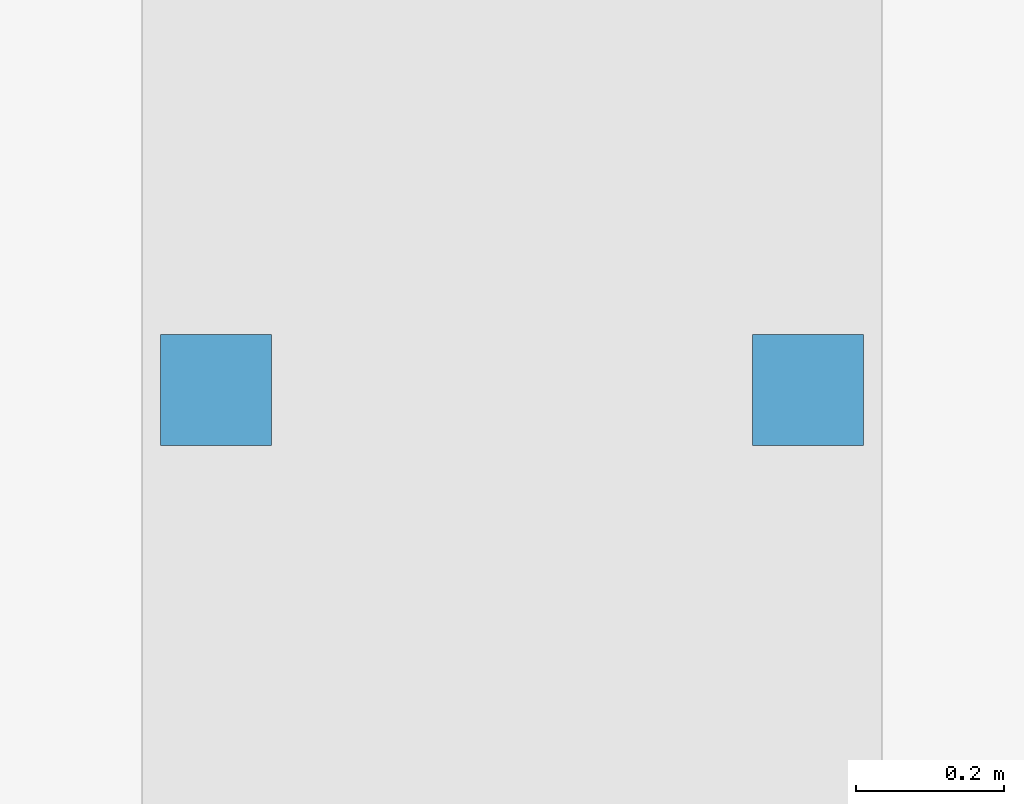
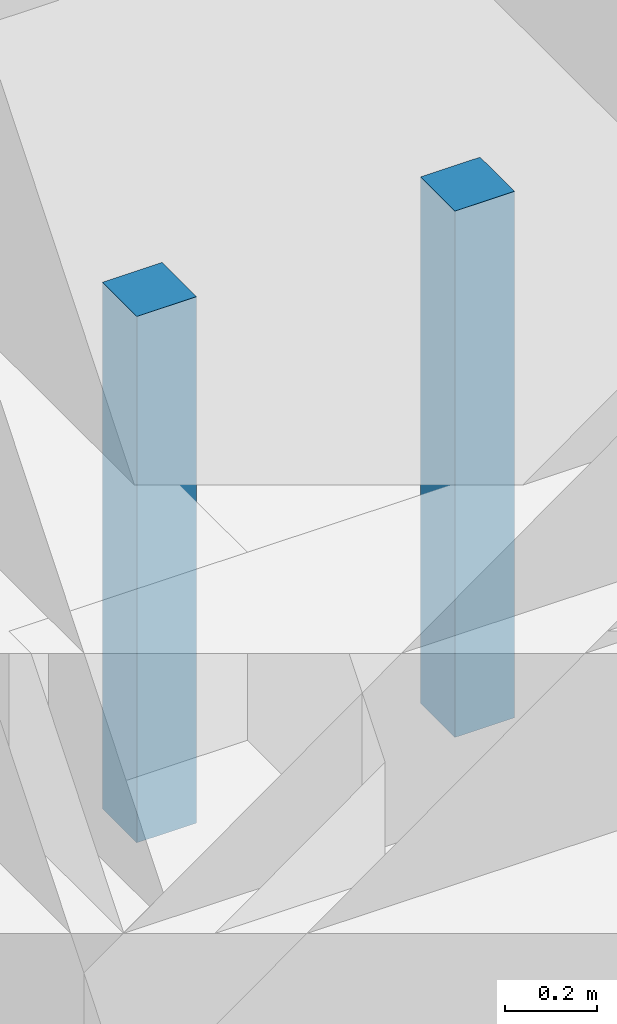
# One storey, part 110 of 148: 2 discrete accessories.
"""IFC4 building model written with IfcOpenShell, lengths in metres."""

from ifc_helpers import new_model, si_unit, direction, frame, origin, origin_2d, place, context, subcontext, project, spatial, rectangle, extrude, material, layer, layer_set, type_object, element, save


model = new_model("IFC4")

# Units and contexts
model_context = context("Model", 3, precision=1e-05, world=origin(), true_north=direction((0.0, 1.0)))
body_context = subcontext(model_context, "Body", "Model", "MODEL_VIEW")
ifc_project = project(units=[si_unit("LENGTHUNIT", "METRE"), si_unit("AREAUNIT", "SQUARE_METRE"), si_unit("VOLUMEUNIT", "CUBIC_METRE"), si_unit("PLANEANGLEUNIT", "RADIAN"), si_unit("MASSUNIT", "GRAM", prefix="KILO")], contexts=[model_context])

# Site, building, storey
site_placement = place(None, origin())
site = spatial("IfcSite", under=ifc_project, at=site_placement, CompositionType="ELEMENT")
building_placement = place(site_placement, origin())
building = spatial("IfcBuilding", under=site, at=building_placement, Name="Kupolbacken Congress Centre", CompositionType="ELEMENT")
storey_placement = place(building_placement, origin())
storey = spatial("IfcBuildingStorey", under=building, at=storey_placement, Name="L00", CompositionType="ELEMENT", Elevation=0.0)

# Discrete accessories
ifc_material = material(Name="Steel S355", Category="steel")
ifc_layer = layer(ifc_material, 0.011962890625)
ifc_layer_set = layer_set([ifc_layer], Name="Steel S355")
discrete_accessory_type = type_object("IfcDiscreteAccessoryType", Name="BK1 bracket 150 x 150 x 12", PredefinedType="BRACKET", material=ifc_layer_set)
for number, where, z_axis, x_axis, name in (
    (1, (16.39990234375, 59.89990234375, -1.39990234375), (0.0, 0.0, 1.0), (1.0, 0.0, 0.0), "Lift car buffer post LP5"),
    (2, (17.199951171875, 59.89990234375, -1.39990234375), (0.0, 0.0, 1.0), (1.0, 0.0, 0.0), "Lift car buffer post LP5"),
):
    element("IfcDiscreteAccessory", number, at=place(storey_placement, frame(where, z_axis=z_axis, x_axis=x_axis)), inside=storey, type_object=discrete_accessory_type, Name=name, PredefinedType="BRACKET", context=body_context, shape_type="SweptSolid", body=[
        extrude(rectangle(XDim=0.14990234375, YDim=0.14990234375, at=origin_2d()), origin(), (0.0, 0.0, 1.0), 1.39990234375),
    ])

save(model, "model.ifc")
